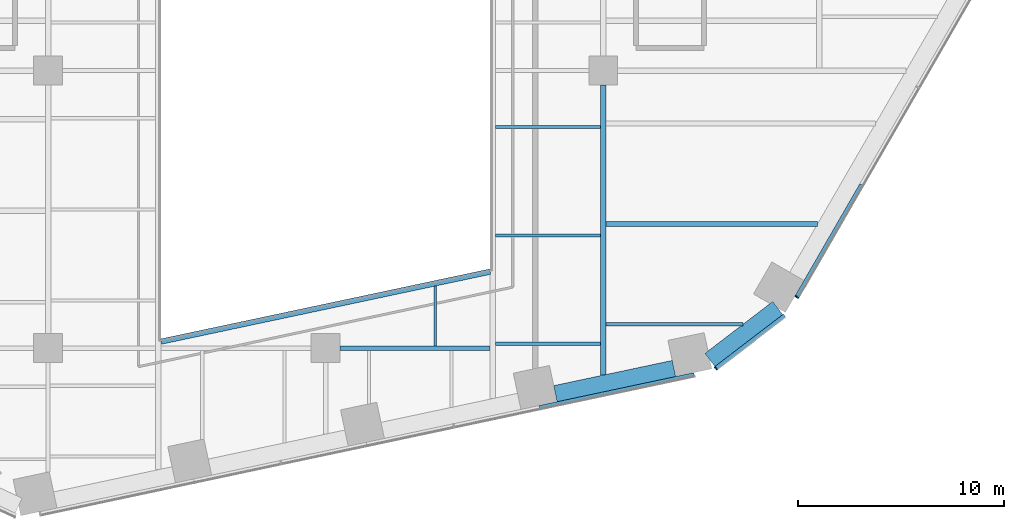
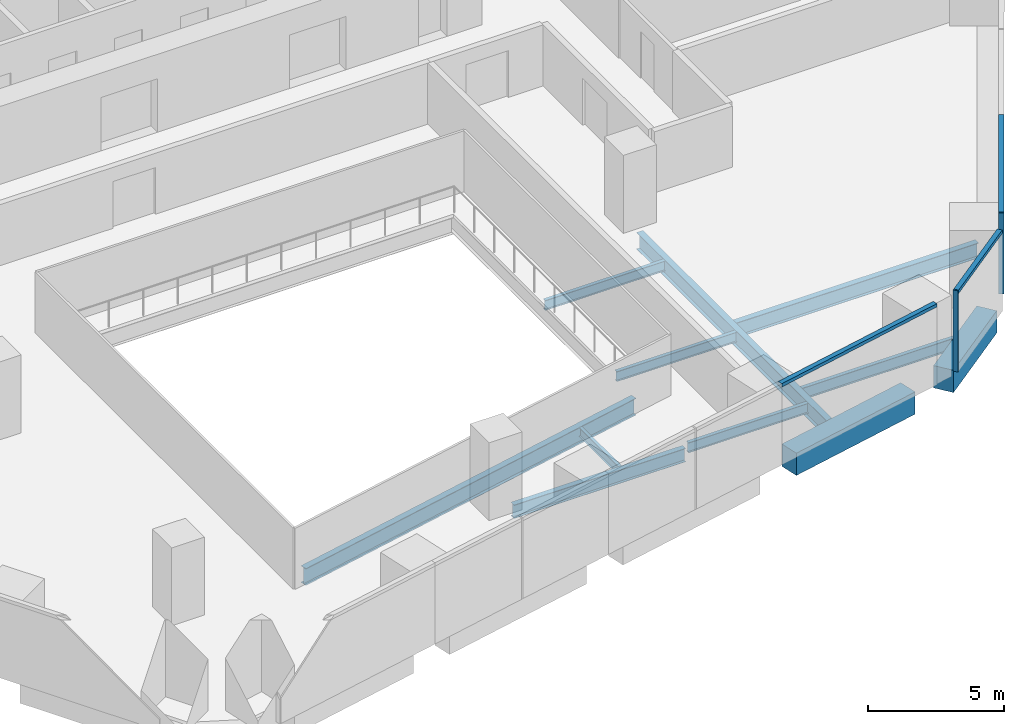
# One storey, part 5 of 20: 11 beams, 5 members, 3 elements without a shape of their own.
"""IFC4 building model written with IfcOpenShell, lengths in metres."""

from ifc_helpers import new_model, si_unit, direction, frame, origin, origin_2d, place, context, subcontext, project, spatial, rectangle, i_section, extrude, material, layer, layer_set, material_profile, profile_set, type_object, element, aggregate, save


model = new_model("IFC4")

# Units and contexts
model_context = context("Model", 3, precision=1e-05, world=origin(), true_north=direction((0.0, 1.0)))
body_context = subcontext(model_context, "Body", "Model", "MODEL_VIEW")
ifc_project = project(units=[si_unit("LENGTHUNIT", "METRE"), si_unit("AREAUNIT", "SQUARE_METRE"), si_unit("VOLUMEUNIT", "CUBIC_METRE"), si_unit("PLANEANGLEUNIT", "RADIAN"), si_unit("MASSUNIT", "GRAM", prefix="KILO")], contexts=[model_context])

# Site, building, storey
site_placement = place(None, origin())
site = spatial("IfcSite", under=ifc_project, at=site_placement, CompositionType="ELEMENT")
building_placement = place(site_placement, origin())
building = spatial("IfcBuilding", under=site, at=building_placement, Name="Isthmus Gate Tower", CompositionType="ELEMENT")
storey_placement = place(building_placement, frame((0.0, 0.0, 43.300048828125)))
storey = spatial("IfcBuildingStorey", under=building, at=storey_placement, Name="L08", CompositionType="ELEMENT", Elevation=43.300048828125)

# Curtain wall, member
ifc_material_1 = material(Name="Aluminium, pale champagne anodised", Category="aluminium")
ifc_layer = layer(ifc_material_1, 0.199951171875)
ifc_layer_set = layer_set([ifc_layer], Name="CW-1 UNITISED CURTAIN WALL 200 DEEP")
curtain_wall_type = type_object("IfcCurtainWallType", Name="CW-1 UNITISED CURTAIN WALL 200 DEEP", PredefinedType="NOTDEFINED", material=ifc_layer_set)
curtain_wall_1_placement = place(storey_placement, origin())
curtain_wall_1 = element("IfcCurtainWall", 1, at=curtain_wall_1_placement, inside=storey, type_object=curtain_wall_type, Name="CW-1 S-SE L08", PredefinedType="NOTDEFINED")
ifc_material_2 = material(Name="Aluminium, pale champagne anodised", Category="aluminium")
ifc_material_profile_1 = material_profile(ifc_material_2, rectangle(XDim=0.06005859375, YDim=0.199951171875, at=origin_2d()), Name="60x200")
ifc_profile_set_1 = profile_set([ifc_material_profile_1], Name="Aluminium, pale champagne anodised")
member_type_1 = type_object("IfcMemberType", Name="CW-1 MULLION 60 X 200", PredefinedType="MULLION", material=ifc_profile_set_1)
member_1_placement = place(storey_placement, frame((18.978759765625, -27.982421875, 0.0), z_axis=(0.0, 0.0, 1.0), x_axis=(0.794188594387, 0.607671355706, 0.0)))
member_1 = element("IfcMember", 2, at=member_1_placement, type_object=member_type_1, Name="CW-1 mullion", PredefinedType="MULLION", context=body_context, shape_type="SweptSolid", body=[
    extrude(rectangle(XDim=0.06005859375, YDim=0.199951171875, at=origin_2d()), origin(), (0.0, 0.0, 1.0), 3.64990234375),
])

curtain_wall_2_placement = place(storey_placement, origin())
curtain_wall_2 = element("IfcCurtainWall", 3, at=curtain_wall_2_placement, inside=storey, type_object=curtain_wall_type, Name="CW-1 SE L08", PredefinedType="NOTDEFINED")
member_2_placement = place(storey_placement, frame((22.91357421875, -24.5126953125, 0.0), z_axis=(0.0, 0.0, 1.0), x_axis=(0.5, 0.866025403784, 0.0)))
member_2 = element("IfcMember", 4, at=member_2_placement, type_object=member_type_1, Name="CW-1 mullion", PredefinedType="MULLION", context=body_context, shape_type="SweptSolid", body=[
    extrude(rectangle(XDim=0.06005859375, YDim=0.199951171875, at=origin_2d()), origin(), (0.0, 0.0, 1.0), 3.64990234375),
])

curtain_wall_3_placement = place(storey_placement, origin())
curtain_wall_3 = element("IfcCurtainWall", 5, at=curtain_wall_3_placement, inside=storey, type_object=curtain_wall_type, Name="CW-1 S L08", PredefinedType="NOTDEFINED")
ifc_material_3 = material(Name="Aluminium, pale champagne anodised", Category="aluminium")
ifc_material_profile_2 = material_profile(ifc_material_3, rectangle(XDim=0.199951171875, YDim=0.14990234375, at=origin_2d()), Name="200x150")
ifc_profile_set_2 = profile_set([ifc_material_profile_2], Name="Aluminium, pale champagne anodised")
member_type_2 = type_object("IfcMemberType", Name="CW-1 TRANSOM 200 X 150", PredefinedType="USERDEFINED", material=ifc_profile_set_2)
member_3_placement = place(storey_placement, frame((10.400146484375, -29.8916015625, 3.574951171875), z_axis=(0.978149085817, 0.207904703929, 0.0), x_axis=(-0.207904703929, 0.978149085817, 0.0)))
member_3 = element("IfcMember", 6, at=member_3_placement, type_object=member_type_2, Name="CW-1 transom", ObjectType="TRANSOM", PredefinedType="USERDEFINED", context=body_context, shape_type="SweptSolid", body=[
    extrude(rectangle(XDim=0.199951171875, YDim=0.14990234375, at=origin_2d()), origin(), (0.0, 0.0, 1.0), 7.689208984375),
])
aggregate(curtain_wall_3, [member_3])

# Member
member_4_placement = place(storey_placement, frame((19.002685546875, -27.96435546875, 3.574951171875), z_axis=(0.794175498212, 0.607688471209, 0.0), x_axis=(-0.607688471209, 0.794175498212, 0.0)))
member_4 = element("IfcMember", 7, at=member_4_placement, type_object=member_type_2, Name="CW-1 transom", ObjectType="TRANSOM", PredefinedType="USERDEFINED", context=body_context, shape_type="SweptSolid", body=[
    extrude(rectangle(XDim=0.199951171875, YDim=0.14990234375, at=origin_2d()), origin(), (0.0, 0.0, 1.0), 4.181396484375),
])

aggregate(curtain_wall_1, [member_1, member_4])

member_5_placement = place(storey_placement, frame((22.928466796875, -24.486572265625, 3.574951171875), z_axis=(0.50002426866, 0.866011391814, 0.0), x_axis=(-0.866011391814, 0.50002426866, 0.0)))
member_5 = element("IfcMember", 8, at=member_5_placement, type_object=member_type_2, Name="CW-1 transom", ObjectType="TRANSOM", PredefinedType="USERDEFINED", context=body_context, shape_type="SweptSolid", body=[
    extrude(rectangle(XDim=0.199951171875, YDim=0.14990234375, at=origin_2d()), origin(), (0.0, 0.0, 1.0), 6.278564453125),
])

aggregate(curtain_wall_2, [member_2, member_5])

# Beams
ifc_material_4 = material(Name="Concrete f'c 70 MPa", Category="concrete")
ifc_material_profile_3 = material_profile(ifc_material_4, rectangle(XDim=0.800048828125, YDim=1.0, at=origin_2d()), Name="RC 800X1000")
ifc_profile_set_3 = profile_set([ifc_material_profile_3], Name="Concrete f'c 70 MPa")
beam_type_1 = type_object("IfcBeamType", Name="RC SPANDREL 800 X 1000", PredefinedType="SPANDREL", material=ifc_profile_set_3)
beam_1_placement = place(storey_placement, frame((21.98681640625, -25.051513671875, -0.5), z_axis=(-0.794205941875, -0.607648682949, 0.0), x_axis=(0.607648682949, -0.794205941875, 0.0)))
element("IfcBeam", 9, at=beam_1_placement, inside=storey, type_object=beam_type_1, Name="str-spandrel-L08-09", PredefinedType="SPANDREL", context=body_context, shape_type="SweptSolid", body=[
    extrude(rectangle(XDim=0.800048828125, YDim=1.0, at=origin_2d()), origin(), (0.0, 0.0, 1.0), 4.15234375),
])
beam_2_placement = place(storey_placement, frame((16.937255859375, -27.990966796875, -0.5), z_axis=(-0.97815168619, -0.207892469327, 0.0), x_axis=(0.207892469327, -0.97815168619, 0.0)))
element("IfcBeam", 10, at=beam_2_placement, inside=storey, type_object=beam_type_1, Name="str-spandrel-L08-10", PredefinedType="SPANDREL", context=body_context, shape_type="SweptSolid", body=[
    extrude(rectangle(XDim=0.800048828125, YDim=1.0, at=origin_2d()), origin(), (0.0, 0.0, 1.0), 5.889404296875),
])
ifc_material_5 = material(Name="Structural steel ASTM A992 Gr 50", Category="steel")
ifc_material_profile_4 = material_profile(ifc_material_5, i_section(OverallWidth=0.1396484375, OverallDepth=0.4033203125, WebThickness=0.00634765625, FlangeThickness=0.010986328125, at=origin_2d()), Name="W16X31")
ifc_profile_set_4 = profile_set([ifc_material_profile_4], Name="Structural steel ASTM A992 Gr 50")
beam_type_2 = type_object("IfcBeamType", Name="STEEL FLOOR BEAM W16X31", PredefinedType="JOIST", material=ifc_profile_set_4)
beam_3_placement = place(storey_placement, frame((5.333251953125, -26.8857421875, -0.3515625), z_axis=(0.0, 1.0, 0.0), x_axis=(-1.0, 0.0, 0.0)))
element("IfcBeam", 11, at=beam_3_placement, inside=storey, type_object=beam_type_2, Name="str-beam-L08-17-00", PredefinedType="JOIST", context=body_context, shape_type="SweptSolid", body=[
    extrude(i_section(OverallWidth=0.1396484375, OverallDepth=0.4033203125, WebThickness=0.00634765625, FlangeThickness=0.010986328125, at=origin_2d()), origin(), (0.0, 0.0, 1.0), 2.903076171875),
])
ifc_material_6 = material(Name="Structural steel ASTM A992 Gr 50", Category="steel")
ifc_material_profile_5 = material_profile(ifc_material_6, i_section(OverallWidth=0.15234375, OverallDepth=0.45068359375, WebThickness=0.0078125, FlangeThickness=0.010986328125, at=origin_2d()), Name="W18X35")
ifc_profile_set_5 = profile_set([ifc_material_profile_5], Name="Structural steel ASTM A992 Gr 50")
beam_type_3 = type_object("IfcBeamType", Name="STEEL FLOOR BEAM W18X35", PredefinedType="JOIST", material=ifc_profile_set_5)
for number, where, z_axis, x_axis, name in (
    (12, (8.263427734375, -26.788818359375, -0.37548828125), (1.0, 0.0, 0.0), (0.0, 1.0, 0.0), "str-beam-L08-22-00"),
    (13, (8.263427734375, -21.51513671875, -0.37548828125), (1.0, 0.0, 0.0), (0.0, 1.0, 0.0), "str-beam-L08-22-01"),
    (14, (8.263427734375, -16.241455078125, -0.37548828125), (1.0, 0.0, 0.0), (0.0, 1.0, 0.0), "str-beam-L08-22-02"),
):
    element("IfcBeam", number, at=place(storey_placement, frame(where, z_axis=z_axis, x_axis=x_axis)), inside=storey, type_object=beam_type_3, Name=name, PredefinedType="JOIST", context=body_context, shape_type="SweptSolid", body=[
        extrude(i_section(OverallWidth=0.15234375, OverallDepth=0.45068359375, WebThickness=0.0078125, FlangeThickness=0.010986328125, at=origin_2d()), origin(), (0.0, 0.0, 1.0), 5.103271484375),
    ])
ifc_material_7 = material(Name="Structural steel ASTM A992 Gr 50", Category="steel")
ifc_material_profile_6 = material_profile(ifc_material_7, i_section(OverallWidth=0.1650390625, OverallDepth=0.52392578125, WebThickness=0.009521484375, FlangeThickness=0.010986328125, at=origin_2d()), Name="W21X44")
ifc_profile_set_6 = profile_set([ifc_material_profile_6], Name="Structural steel ASTM A992 Gr 50")
beam_type_4 = type_object("IfcBeamType", Name="STEEL FLOOR BEAM W21X44", PredefinedType="JOIST", material=ifc_profile_set_6)
beam_4_placement = place(storey_placement, frame((13.63330078125, -25.842529296875, -0.412109375), z_axis=(1.0, 0.0, 0.0), x_axis=(0.0, 1.0, 0.0)))
element("IfcBeam", 15, at=beam_4_placement, inside=storey, type_object=beam_type_4, Name="str-beam-L08-28-00", PredefinedType="JOIST", context=body_context, shape_type="SweptSolid", body=[
    extrude(i_section(OverallWidth=0.1650390625, OverallDepth=0.52392578125, WebThickness=0.009521484375, FlangeThickness=0.010986328125, at=origin_2d()), origin(), (0.0, 0.0, 1.0), 6.661376953125),
])
ifc_material_8 = material(Name="Structural steel ASTM A992 Gr 50", Category="steel")
ifc_material_profile_7 = material_profile(ifc_material_8, i_section(OverallWidth=0.25390625, OverallDepth=0.679443359375, WebThickness=0.010986328125, FlangeThickness=0.015869140625, at=origin_2d()), Name="W27X84")
ifc_profile_set_7 = profile_set([ifc_material_profile_7], Name="Structural steel ASTM A992 Gr 50")
beam_type_5 = type_object("IfcBeamType", Name="STEEL FLOOR BEAM W27X84", PredefinedType="JOIST", material=ifc_profile_set_7)
beam_5_placement = place(storey_placement, frame((13.63330078125, -20.958740234375, -0.48974609375), z_axis=(1.0, 0.0, 0.0), x_axis=(0.0, 1.0, 0.0)))
element("IfcBeam", 16, at=beam_5_placement, inside=storey, type_object=beam_type_5, Name="str-beam-L08-28-01", PredefinedType="JOIST", context=body_context, shape_type="SweptSolid", body=[
    extrude(i_section(OverallWidth=0.25390625, OverallDepth=0.679443359375, WebThickness=0.010986328125, FlangeThickness=0.015869140625, at=origin_2d()), origin(), (0.0, 0.0, 1.0), 10.292724609375),
])
ifc_material_9 = material(Name="Structural steel ASTM A992 Gr 50", Category="steel")
ifc_material_profile_8 = material_profile(ifc_material_9, i_section(OverallWidth=0.228515625, OverallDepth=0.603271484375, WebThickness=0.010986328125, FlangeThickness=0.014404296875, at=origin_2d()), Name="W24X68")
ifc_profile_set_8 = profile_set([ifc_material_profile_8], Name="Structural steel ASTM A992 Gr 50")
beam_type_6 = type_object("IfcBeamType", Name="STEEL GIRDER W24X68", PredefinedType="BEAM", material=ifc_profile_set_8)
beam_6_placement = place(storey_placement, frame((0.699951171875, -27.0, -0.45166015625), z_axis=(1.0, 0.0, 0.0), x_axis=(0.0, 1.0, 0.0)))
element("IfcBeam", 17, at=beam_6_placement, inside=storey, type_object=beam_type_6, Name="str-girder-L08-04", PredefinedType="BEAM", context=body_context, shape_type="SweptSolid", body=[
    extrude(i_section(OverallWidth=0.228515625, OverallDepth=0.603271484375, WebThickness=0.010986328125, FlangeThickness=0.014404296875, at=origin_2d()), origin(), (0.0, 0.0, 1.0), 7.300048828125),
])
ifc_material_10 = material(Name="Structural steel ASTM A992 Gr 50", Category="steel")
ifc_material_profile_9 = material_profile(ifc_material_10, i_section(OverallWidth=0.2666015625, OverallDepth=0.7587890625, WebThickness=0.014404296875, FlangeThickness=0.01904296875, at=origin_2d()), Name="W30X108")
ifc_profile_set_9 = profile_set([ifc_material_profile_9], Name="Structural steel ASTM A992 Gr 50")
beam_type_7 = type_object("IfcBeamType", Name="STEEL GIRDER W30X108", PredefinedType="BEAM", material=ifc_profile_set_9)
beam_7_placement = place(storey_placement, frame((13.5, -28.3125, -0.529541015625), z_axis=(0.0, 1.0, 0.0), x_axis=(-1.0, 0.0, 0.0)))
element("IfcBeam", 18, at=beam_7_placement, inside=storey, type_object=beam_type_7, Name="str-girder-L08-31", PredefinedType="BEAM", context=body_context, shape_type="SweptSolid", body=[
    extrude(i_section(OverallWidth=0.2666015625, OverallDepth=0.7587890625, WebThickness=0.014404296875, FlangeThickness=0.01904296875, at=origin_2d()), origin(), (0.0, 0.0, 1.0), 14.112548828125),
])
ifc_material_11 = material(Name="Structural steel ASTM A992 Gr 50", Category="steel")
ifc_material_profile_10 = material_profile(ifc_material_11, i_section(OverallWidth=0.2666015625, OverallDepth=0.7587890625, WebThickness=0.014404296875, FlangeThickness=0.01904296875, at=origin_2d()), Name="W30X108")
ifc_profile_set_10 = profile_set([ifc_material_profile_10], Name="Structural steel ASTM A992 Gr 50")
beam_type_8 = type_object("IfcBeamType", Name="STEEL TRIMMER W30X108", PredefinedType="BEAM", material=ifc_profile_set_10)
beam_8_placement = place(storey_placement, frame((-8.0, -26.680419921875, -0.529541015625), z_axis=(0.978147924985, 0.20791016533, 0.0), x_axis=(-0.20791016533, 0.978147924985, 0.0)))
element("IfcBeam", 19, at=beam_8_placement, inside=storey, type_object=beam_type_8, Name="str-trimmer-L08-03", PredefinedType="BEAM", context=body_context, shape_type="SweptSolid", body=[
    extrude(i_section(OverallWidth=0.2666015625, OverallDepth=0.7587890625, WebThickness=0.014404296875, FlangeThickness=0.01904296875, at=origin_2d()), origin(), (0.0, 0.0, 1.0), 16.357421875),
])

save(model, "model.ifc")
